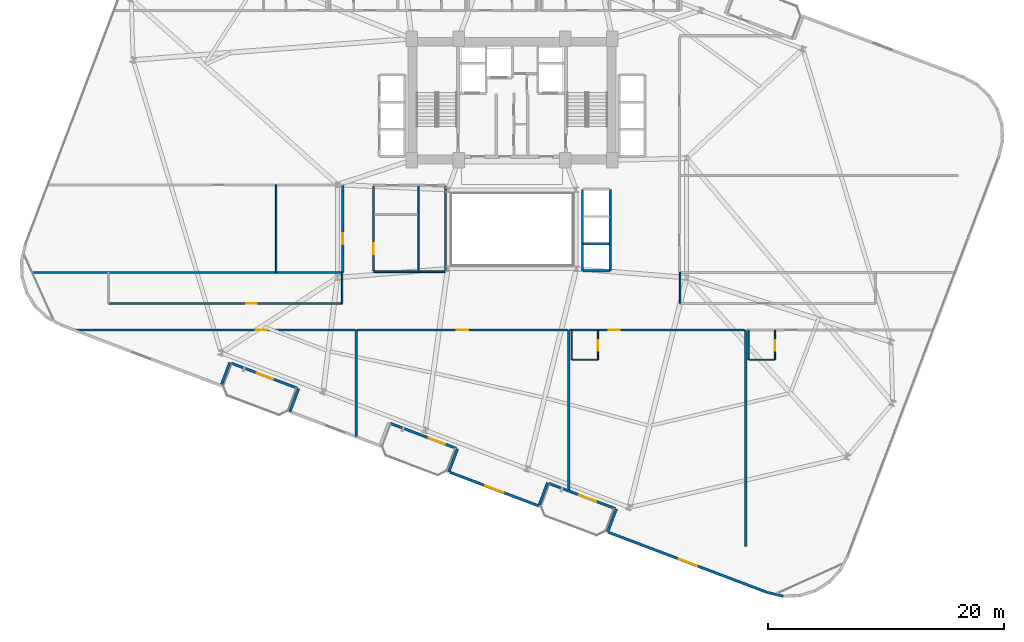
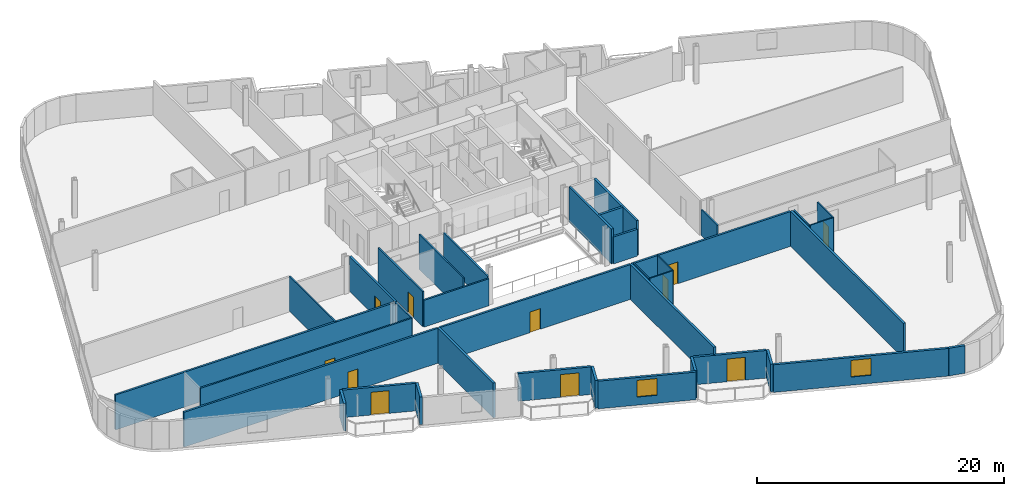
# One storey, part 18 of 25: 37 walls, 11 doors, 2 windows, 13 openings.
"""IFC4 building model written with IfcOpenShell, lengths in metres."""

from ifc_helpers import new_model, si_unit, direction, frame, frame_2d, origin, place, context, subcontext, project, spatial, rectangle, extrude, material, layer, layer_set, type_object, element, fill, save


model = new_model("IFC4")

# Units and contexts
model_context = context("Model", 3, precision=1e-05, world=origin(), true_north=direction((0.0, 1.0)))
body_context = subcontext(model_context, "Body", "Model", "MODEL_VIEW")
ifc_project = project(units=[si_unit("LENGTHUNIT", "METRE"), si_unit("AREAUNIT", "SQUARE_METRE"), si_unit("VOLUMEUNIT", "CUBIC_METRE"), si_unit("PLANEANGLEUNIT", "RADIAN"), si_unit("MASSUNIT", "GRAM", prefix="KILO")], contexts=[model_context])

# Site, building, storey
site_placement = place(None, origin())
site = spatial("IfcSite", under=ifc_project, at=site_placement, CompositionType="ELEMENT")
building_placement = place(site_placement, origin())
building = spatial("IfcBuilding", under=site, at=building_placement, Name="Varnelok Gate Tower", CompositionType="ELEMENT")
storey_placement = place(building_placement, frame((0.0, 0.0, 91.0)))
storey = spatial("IfcBuildingStorey", under=building, at=storey_placement, Name="L22", CompositionType="ELEMENT", Elevation=91.0)

# Wall, opening, door
ifc_material_1 = material(Name="Concrete C45/55", Category="concrete")
ifc_layer_1 = layer(ifc_material_1, 0.219970703125)
ifc_layer_set_1 = layer_set([ifc_layer_1], Name="Concrete C45/55")
wall_type_1 = type_object("IfcWallType", Name="EW-BALC-220", PredefinedType="SOLIDWALL", material=ifc_layer_set_1)
wall_1_placement = place(storey_placement, frame((21.00048828125, 9.42529296875, 0.0), z_axis=(0.0, 0.0, 1.0), x_axis=(-0.93521416643, 0.354082565101, 0.0)))
wall_1 = element("IfcWall", 1, at=wall_1_placement, inside=storey, type_object=wall_type_1, Name="L22 South Terrace Envelope Wall 1", PredefinedType="SOLIDWALL", context=body_context, shape_type="SweptSolid", body=[
    extrude(rectangle(XDim=6.0, YDim=0.219970703125, at=frame_2d((3.0, 0.0))), origin(), (0.0, 0.0, 1.0), 2.72998046875),
])
opening_1_placement = place(wall_1_placement, frame((2.176025390625, 0.0, 0.0)))
opening_1 = element("IfcOpeningElement", 2, at=opening_1_placement, cuts=wall_1, Name="Opening BD-1", PredefinedType="OPENING", context=body_context, shape_type="SweptSolid", body=[
    extrude(rectangle(XDim=1.5, YDim=2.25, at=frame_2d((0.75, 1.125))), frame((0.0, 0.119873046875, 0.0), z_axis=(0.0, -1.0, 0.0), x_axis=(1.0, 0.0, 0.0)), (0.0, 0.0, 1.0), 0.239990234375),
])
ifc_material_2 = material(Name="Anodized Aluminum Alloy 6063-T6", Category="aluminium")
door_type_1 = type_object("IfcDoorType", Name="DR-EXT-BALC1500", OperationType="NOTDEFINED", PredefinedType="DOOR", material=ifc_material_2)
door_1_placement = place(opening_1_placement, origin())
door_1 = element("IfcDoor", 3, at=door_1_placement, inside=storey, type_object=door_type_1, Name="L22 South Balcony Glazed Door 1", OperationType="SINGLE_SWING_RIGHT", OverallHeight=2.25, OverallWidth=1.5, PredefinedType="DOOR", context=body_context, shape_type="SweptSolid", body=[
    extrude(rectangle(XDim=1.5, YDim=2.25, at=frame_2d((0.75, 1.125))), frame((0.0, 0.02490234375, 0.0), z_axis=(0.0, -1.0, 0.0), x_axis=(1.0, 0.0, 0.0)), (0.0, 0.0, 1.0), 0.050048828125),
])
fill(opening_1, door_1)

wall_2_placement = place(storey_placement, frame((34.4677734375, 4.326904296875, 0.0), z_axis=(0.0, 0.0, 1.0), x_axis=(-0.9352192676, 0.354069091436, 0.0)))
wall_2 = element("IfcWall", 4, at=wall_2_placement, inside=storey, type_object=wall_type_1, Name="L22 South Terrace Envelope Wall 2", PredefinedType="SOLIDWALL", context=body_context, shape_type="SweptSolid", body=[
    extrude(rectangle(XDim=6.000244140625, YDim=0.219970703125, at=frame_2d((3.0, 0.0))), origin(), (0.0, 0.0, 1.0), 2.72998046875),
])
opening_2_placement = place(wall_2_placement, frame((0.991943359375, 0.0, 0.0)))
opening_2 = element("IfcOpeningElement", 5, at=opening_2_placement, cuts=wall_2, Name="Opening BD-1", PredefinedType="OPENING", context=body_context, shape_type="SweptSolid", body=[
    extrude(rectangle(XDim=1.5, YDim=2.25, at=frame_2d((0.75, 1.125))), frame((0.0, 0.119873046875, 0.0), z_axis=(0.0, -1.0, 0.0), x_axis=(1.0, 0.0, 0.0)), (0.0, 0.0, 1.0), 0.239990234375),
])
door_2_placement = place(opening_2_placement, origin())
door_2 = element("IfcDoor", 6, at=door_2_placement, inside=storey, type_object=door_type_1, Name="L22 South Balcony Glazed Door 2", OperationType="SINGLE_SWING_LEFT", OverallHeight=2.25, OverallWidth=1.5, PredefinedType="DOOR", context=body_context, shape_type="SweptSolid", body=[
    extrude(rectangle(XDim=1.5, YDim=2.25, at=frame_2d((0.75, 1.125))), frame((0.0, 0.02490234375, 0.0), z_axis=(0.0, -1.0, 0.0), x_axis=(1.0, 0.0, 0.0)), (0.0, 0.0, 1.0), 0.050048828125),
])
fill(opening_2, door_2)

wall_3_placement = place(storey_placement, frame((47.934814453125, -0.771484375, 0.0), z_axis=(0.0, 0.0, 1.0), x_axis=(-0.935227640088, 0.354046976001, 0.0)))
wall_3 = element("IfcWall", 7, at=wall_3_placement, inside=storey, type_object=wall_type_1, Name="L22 South Terrace Envelope Wall 3", PredefinedType="SOLIDWALL", context=body_context, shape_type="SweptSolid", body=[
    extrude(rectangle(XDim=6.0, YDim=0.219970703125, at=frame_2d((3.0, 0.0))), origin(), (0.0, 0.0, 1.0), 2.72998046875),
])
opening_3_placement = place(wall_3_placement, frame((1.73193359375, 0.0, 0.0)))
opening_3 = element("IfcOpeningElement", 8, at=opening_3_placement, cuts=wall_3, Name="Opening BD-1", PredefinedType="OPENING", context=body_context, shape_type="SweptSolid", body=[
    extrude(rectangle(XDim=1.5, YDim=2.25, at=frame_2d((0.75, 1.125))), frame((0.0, 0.119873046875, 0.0), z_axis=(0.0, -1.0, 0.0), x_axis=(1.0, 0.0, 0.0)), (0.0, 0.0, 1.0), 0.239990234375),
])
door_3_placement = place(opening_3_placement, origin())
door_3 = element("IfcDoor", 9, at=door_3_placement, inside=storey, type_object=door_type_1, Name="L22 South Balcony Glazed Door 3", OperationType="SINGLE_SWING_RIGHT", OverallHeight=2.25, OverallWidth=1.5, PredefinedType="DOOR", context=body_context, shape_type="SweptSolid", body=[
    extrude(rectangle(XDim=1.5, YDim=2.25, at=frame_2d((0.75, 1.125))), frame((0.0, 0.02490234375, 0.0), z_axis=(0.0, -1.0, 0.0), x_axis=(1.0, 0.0, 0.0)), (0.0, 0.0, 1.0), 0.050048828125),
])
fill(opening_3, door_3)

# Walls
wall_4_placement = place(storey_placement, frame((14.581298828125, 9.754638671875, 0.0), z_axis=(0.0, 0.0, 1.0), x_axis=(0.354061611705, 0.935222099352, 0.0)))
element("IfcWall", 10, at=wall_4_placement, inside=storey, type_object=wall_type_1, Name="L22 Perimeter Facade Closure Wall 8", PredefinedType="SOLIDWALL", context=body_context, shape_type="SweptSolid", body=[
    extrude(rectangle(XDim=1.974853515625, YDim=0.219970703125, at=frame_2d((0.9873046875, 0.0))), origin(), (0.0, 0.0, 1.0), 2.72998046875),
])
wall_5_placement = place(storey_placement, frame((21.1162109375, 9.392333984375, 0.0), z_axis=(0.0, 0.0, 1.0), x_axis=(-0.353988291547, -0.935249854022, 0.0)))
element("IfcWall", 11, at=wall_5_placement, inside=storey, type_object=wall_type_1, Name="L22 Perimeter Facade Closure Wall 9", PredefinedType="SOLIDWALL", context=body_context, shape_type="SweptSolid", body=[
    extrude(rectangle(XDim=2.10009765625, YDim=0.219970703125, at=frame_2d((1.050048828125, 0.0))), origin(), (0.0, 0.0, 1.0), 2.72998046875),
])
wall_6_placement = place(storey_placement, frame((34.58349609375, 4.293701171875, 0.0), z_axis=(0.0, 0.0, 1.0), x_axis=(-0.354128469405, -0.935196785258, 0.0)))
element("IfcWall", 12, at=wall_6_placement, inside=storey, type_object=wall_type_1, Name="L22 Perimeter Facade Closure Wall 12", PredefinedType="SOLIDWALL", context=body_context, shape_type="SweptSolid", body=[
    extrude(rectangle(XDim=2.099853515625, YDim=0.219970703125, at=frame_2d((1.0498046875, 0.0))), origin(), (0.0, 0.0, 1.0), 2.72998046875),
])

# Wall, opening, window
wall_7_placement = place(storey_placement, frame((33.956787109375, 2.28564453125, 0.0), z_axis=(0.0, 0.0, 1.0), x_axis=(0.935220736163, -0.354065212427, 0.0)))
wall_7 = element("IfcWall", 13, at=wall_7_placement, inside=storey, type_object=wall_type_1, Name="L22 Perimeter Facade Closure Wall 13", PredefinedType="SOLIDWALL", context=body_context, shape_type="SweptSolid", body=[
    extrude(rectangle(XDim=8.03515625, YDim=0.219970703125, at=frame_2d((4.017578125, 0.0))), origin(), (0.0, 0.0, 1.0), 2.72998046875),
])
opening_4_placement = place(wall_7_placement, frame((3.1923828125, 0.0, 0.800048828125)))
opening_4 = element("IfcOpeningElement", 14, at=opening_4_placement, cuts=wall_7, Name="Opening WN3", PredefinedType="OPENING", context=body_context, shape_type="SweptSolid", body=[
    extrude(rectangle(XDim=1.64990234375, YDim=1.64990234375, at=frame_2d((0.824951171875, 0.824951171875))), frame((0.0, 0.119873046875, 0.0), z_axis=(0.0, -1.0, 0.0), x_axis=(1.0, 0.0, 0.0)), (0.0, 0.0, 1.0), 0.239990234375),
])
ifc_material_3 = material(Name="Low-E Laminated Double Glazing IGU", Category="glass")
window_type = type_object("IfcWindowType", Name="WN-HTL-1650", PartitioningType="SINGLE_PANEL", PredefinedType="WINDOW", material=ifc_material_3)
window_1_placement = place(opening_4_placement, origin())
window_1 = element("IfcWindow", 15, at=window_1_placement, inside=storey, type_object=window_type, Name="L22 Perimeter Vision Window 13", OverallHeight=1.64990234375, OverallWidth=1.64990234375, PartitioningType="SINGLE_PANEL", PredefinedType="WINDOW", context=body_context, shape_type="SweptSolid", body=[
    extrude(rectangle(XDim=1.64990234375, YDim=1.64990234375, at=frame_2d((0.824951171875, 0.824951171875))), frame((0.0, 0.030029296875, 0.0), z_axis=(0.0, -1.0, 0.0), x_axis=(1.0, 0.0, 0.0)), (0.0, 0.0, 1.0), 0.06005859375),
])
fill(opening_4, window_1)

# Walls
wall_8_placement = place(storey_placement, frame((41.515625, -0.4423828125, 0.0), z_axis=(0.0, 0.0, 1.0), x_axis=(0.354061611705, 0.935222099352, 0.0)))
element("IfcWall", 16, at=wall_8_placement, inside=storey, type_object=wall_type_1, Name="L22 Perimeter Facade Closure Wall 14", PredefinedType="SOLIDWALL", context=body_context, shape_type="SweptSolid", body=[
    extrude(rectangle(XDim=1.974853515625, YDim=0.219970703125, at=frame_2d((0.9873046875, 0.0))), origin(), (0.0, 0.0, 1.0), 2.72998046875),
])
wall_9_placement = place(storey_placement, frame((48.050537109375, -0.8046875, 0.0), z_axis=(0.0, 0.0, 1.0), x_axis=(-0.353988291547, -0.935249854022, 0.0)))
element("IfcWall", 17, at=wall_9_placement, inside=storey, type_object=wall_type_1, Name="L22 Perimeter Facade Closure Wall 15", PredefinedType="SOLIDWALL", context=body_context, shape_type="SweptSolid", body=[
    extrude(rectangle(XDim=2.10009765625, YDim=0.219970703125, at=frame_2d((1.050048828125, 0.0))), origin(), (0.0, 0.0, 1.0), 2.72998046875),
])

# Wall, opening, window
wall_10_placement = place(storey_placement, frame((47.424072265625, -2.81298828125, 0.0), z_axis=(0.0, 0.0, 1.0), x_axis=(0.935225962032, -0.354051408614, 0.0)))
wall_10 = element("IfcWall", 18, at=wall_10_placement, inside=storey, type_object=wall_type_1, Name="L22 Perimeter Facade Closure Wall 16", PredefinedType="SOLIDWALL", context=body_context, shape_type="SweptSolid", body=[
    extrude(rectangle(XDim=14.346923828125, YDim=0.219970703125, at=frame_2d((7.17333984375, 0.0))), origin(), (0.0, 0.0, 1.0), 2.72998046875),
])
opening_5_placement = place(wall_10_placement, frame((6.348388671875, 0.0, 0.800048828125)))
opening_5 = element("IfcOpeningElement", 19, at=opening_5_placement, cuts=wall_10, Name="Opening WN3", PredefinedType="OPENING", context=body_context, shape_type="SweptSolid", body=[
    extrude(rectangle(XDim=1.64990234375, YDim=1.64990234375, at=frame_2d((0.824951171875, 0.824951171875))), frame((0.0, 0.119873046875, 0.0), z_axis=(0.0, -1.0, 0.0), x_axis=(1.0, 0.0, 0.0)), (0.0, 0.0, 1.0), 0.239990234375),
])
window_2_placement = place(opening_5_placement, origin())
window_2 = element("IfcWindow", 20, at=window_2_placement, inside=storey, type_object=window_type, Name="L22 Perimeter Vision Window 16", OverallHeight=1.64990234375, OverallWidth=1.64990234375, PartitioningType="SINGLE_PANEL", PredefinedType="WINDOW", context=body_context, shape_type="SweptSolid", body=[
    extrude(rectangle(XDim=1.64990234375, YDim=1.64990234375, at=frame_2d((0.824951171875, 0.824951171875))), frame((0.0, 0.030029296875, 0.0), z_axis=(0.0, -1.0, 0.0), x_axis=(1.0, 0.0, 0.0)), (0.0, 0.0, 1.0), 0.06005859375),
])
fill(opening_5, window_2)

# Wall
wall_11_placement = place(storey_placement, frame((60.8662109375, -7.8984375, 0.0), z_axis=(0.0, 0.0, 1.0), x_axis=(0.973405403345, -0.229089329169, 0.0)))
element("IfcWall", 21, at=wall_11_placement, inside=storey, type_object=wall_type_1, Name="L22 Perimeter Facade Closure Wall 17", PredefinedType="SOLIDWALL", context=body_context, shape_type="SweptSolid", body=[
    extrude(rectangle(XDim=1.36083984375, YDim=0.219970703125, at=frame_2d((0.680419921875, 0.0))), origin(), (0.0, 0.0, 1.0), 2.72998046875),
])

# Wall, opening, door
ifc_material_4 = material(Name="Gypsum Plasterboard Acoustic Partition", Category="gypsum")
ifc_layer_2 = layer(ifc_material_4, 0.179931640625)
ifc_layer_set_2 = layer_set([ifc_layer_2], Name="Gypsum Plasterboard Acoustic Partition")
wall_type_2 = type_object("IfcWallType", Name="PW-CORR-180", PredefinedType="PARTITIONING", material=ifc_layer_set_2)
wall_12_placement = place(storey_placement, frame((2.146240234375, 14.35009765625, 0.0), z_axis=(0.0, 0.0, 1.0), x_axis=(1.0, 0.0, 0.0)))
wall_12 = element("IfcWall", 22, at=wall_12_placement, inside=storey, type_object=wall_type_2, Name="Interior Partition", PredefinedType="PARTITIONING", context=body_context, shape_type="SweptSolid", body=[
    extrude(rectangle(XDim=23.773681640625, YDim=0.179931640625, at=frame_2d((11.88671875, 0.0))), origin(), (0.0, 0.0, 1.0), 3.449951171875),
])
opening_6_placement = place(wall_12_placement, frame((15.32861328125, 0.0, 0.0)))
opening_6 = element("IfcOpeningElement", 23, at=opening_6_placement, cuts=wall_12, Name="Opening D-I2", PredefinedType="OPENING", context=body_context, shape_type="SweptSolid", body=[
    extrude(rectangle(XDim=0.949951171875, YDim=2.050048828125, at=frame_2d((0.47509765625, 1.02490234375))), frame((0.0, 0.099853515625, 0.0), z_axis=(0.0, -1.0, 0.0), x_axis=(1.0, 0.0, 0.0)), (0.0, 0.0, 1.0), 0.199951171875),
])
ifc_material_5 = material(Name="Engineered Hardwood Timber", Category="wood")
door_type_2 = type_object("IfcDoorType", Name="DR-INT-950", OperationType="NOTDEFINED", PredefinedType="DOOR", material=ifc_material_5)
door_4_placement = place(opening_6_placement, origin())
door_4 = element("IfcDoor", 24, at=door_4_placement, inside=storey, type_object=door_type_2, Name="L22 Hotel Business Center Door", OperationType="SINGLE_SWING_LEFT", OverallHeight=2.050048828125, OverallWidth=0.949951171875, PredefinedType="DOOR", context=body_context, shape_type="SweptSolid", body=[
    extrude(rectangle(XDim=0.949951171875, YDim=2.050048828125, at=frame_2d((0.47509765625, 1.02490234375))), frame((0.0, 0.02490234375, 0.0), z_axis=(0.0, -1.0, 0.0), x_axis=(1.0, 0.0, 0.0)), (0.0, 0.0, 1.0), 0.050048828125),
])
fill(opening_6, door_4)

wall_13_placement = place(storey_placement, frame((26.080078125, 14.35009765625, 0.0), z_axis=(0.0, 0.0, 1.0), x_axis=(1.0, 0.0, 0.0)))
wall_13 = element("IfcWall", 25, at=wall_13_placement, inside=storey, type_object=wall_type_2, Name="Interior Partition", PredefinedType="PARTITIONING", context=body_context, shape_type="SweptSolid", body=[
    extrude(rectangle(XDim=17.83984375, YDim=0.179931640625, at=frame_2d((8.919921875, 0.0))), origin(), (0.0, 0.0, 1.0), 3.449951171875),
])
opening_7_placement = place(wall_13_placement, frame((8.445068359375, 0.0, 0.0)))
opening_7 = element("IfcOpeningElement", 26, at=opening_7_placement, cuts=wall_13, Name="Opening D-I2", PredefinedType="OPENING", context=body_context, shape_type="SweptSolid", body=[
    extrude(rectangle(XDim=0.949951171875, YDim=2.050048828125, at=frame_2d((0.47509765625, 1.02490234375))), frame((0.0, 0.099853515625, 0.0), z_axis=(0.0, -1.0, 0.0), x_axis=(1.0, 0.0, 0.0)), (0.0, 0.0, 1.0), 0.199951171875),
])
door_5_placement = place(opening_7_placement, origin())
door_5 = element("IfcDoor", 27, at=door_5_placement, inside=storey, type_object=door_type_2, Name="L22 Executive Business Office 1 Door", OperationType="SINGLE_SWING_LEFT", OverallHeight=2.050048828125, OverallWidth=0.949951171875, PredefinedType="DOOR", context=body_context, shape_type="SweptSolid", body=[
    extrude(rectangle(XDim=0.949951171875, YDim=2.050048828125, at=frame_2d((0.47509765625, 1.02490234375))), frame((0.0, 0.02490234375, 0.0), z_axis=(0.0, -1.0, 0.0), x_axis=(1.0, 0.0, 0.0)), (0.0, 0.0, 1.0), 0.050048828125),
])
fill(opening_7, door_5)

wall_14_placement = place(storey_placement, frame((44.080078125, 14.35009765625, 0.0), z_axis=(0.0, 0.0, 1.0), x_axis=(1.0, 0.0, 0.0)))
wall_14 = element("IfcWall", 28, at=wall_14_placement, inside=storey, type_object=wall_type_2, Name="Interior Partition", PredefinedType="PARTITIONING", context=body_context, shape_type="SweptSolid", body=[
    extrude(rectangle(XDim=14.83984375, YDim=0.179931640625, at=frame_2d((7.419921875, 0.0))), origin(), (0.0, 0.0, 1.0), 3.449951171875),
])
opening_8_placement = place(wall_14_placement, frame((3.323486328125, 0.0, 0.0)))
opening_8 = element("IfcOpeningElement", 29, at=opening_8_placement, cuts=wall_14, Name="Opening D-HT", PredefinedType="OPENING", context=body_context, shape_type="SweptSolid", body=[
    extrude(rectangle(XDim=0.949951171875, YDim=2.14990234375, at=frame_2d((0.47509765625, 1.074951171875))), frame((0.0, 0.099853515625, 0.0), z_axis=(0.0, -1.0, 0.0), x_axis=(1.0, 0.0, 0.0)), (0.0, 0.0, 1.0), 0.199951171875),
])
door_type_3 = type_object("IfcDoorType", Name="DR-HTL-950", OperationType="NOTDEFINED", PredefinedType="DOOR", material=ifc_material_5)
door_6_placement = place(opening_8_placement, origin())
door_6 = element("IfcDoor", 30, at=door_6_placement, inside=storey, type_object=door_type_3, Name="L22 Guest Room 03 Entrance Door", OperationType="SINGLE_SWING_RIGHT", OverallHeight=2.14990234375, OverallWidth=0.949951171875, PredefinedType="DOOR", context=body_context, shape_type="SweptSolid", body=[
    extrude(rectangle(XDim=0.949951171875, YDim=2.14990234375, at=frame_2d((0.47509765625, 1.074951171875))), frame((0.0, 0.02490234375, 0.0), z_axis=(0.0, -1.0, 0.0), x_axis=(1.0, 0.0, 0.0)), (0.0, 0.0, 1.0), 0.050048828125),
])
fill(opening_8, door_6)

wall_15_placement = place(storey_placement, frame((24.85009765625, 19.239990234375, 0.0), z_axis=(0.0, 0.0, 1.0), x_axis=(0.0, 1.0, 0.0)))
wall_15 = element("IfcWall", 31, at=wall_15_placement, inside=storey, type_object=wall_type_2, Name="Interior Partition", PredefinedType="PARTITIONING", context=body_context, shape_type="SweptSolid", body=[
    extrude(rectangle(XDim=7.419921875, YDim=0.179931640625, at=frame_2d((3.7099609375, 0.0))), origin(), (0.0, 0.0, 1.0), 3.449951171875),
])
opening_9_placement = place(wall_15_placement, frame((2.39990234375, 0.0, 0.0)))
opening_9 = element("IfcOpeningElement", 32, at=opening_9_placement, cuts=wall_15, Name="Opening D-I3", PredefinedType="OPENING", context=body_context, shape_type="SweptSolid", body=[
    extrude(rectangle(XDim=0.919921875, YDim=2.050048828125, at=frame_2d((0.4599609375, 1.02490234375))), frame((0.0, 0.099853515625, 0.0), z_axis=(0.0, -1.0, 0.0), x_axis=(1.0, 0.0, 0.0)), (0.0, 0.0, 1.0), 0.199951171875),
])
door_type_4 = type_object("IfcDoorType", Name="DR-INT-920", OperationType="NOTDEFINED", PredefinedType="DOOR", material=ifc_material_5)
door_7_placement = place(opening_9_placement, origin())
door_7 = element("IfcDoor", 33, at=door_7_placement, inside=storey, type_object=door_type_4, Name="L22 West Playroom Door", OperationType="SINGLE_SWING_LEFT", OverallHeight=2.050048828125, OverallWidth=0.919921875, PredefinedType="DOOR", context=body_context, shape_type="SweptSolid", body=[
    extrude(rectangle(XDim=0.919921875, YDim=2.050048828125, at=frame_2d((0.4599609375, 1.02490234375))), frame((0.0, 0.02490234375, 0.0), z_axis=(0.0, -1.0, 0.0), x_axis=(1.0, 0.0, 0.0)), (0.0, 0.0, 1.0), 0.050048828125),
])
fill(opening_9, door_7)

# Walls
wall_16_placement = place(storey_placement, frame((-1.432373046875, 19.239990234375, 0.0), z_axis=(0.0, 0.0, 1.0), x_axis=(1.0, 0.0, 0.0)))
element("IfcWall", 34, at=wall_16_placement, inside=storey, type_object=wall_type_2, Name="Interior Partition", PredefinedType="PARTITIONING", context=body_context, shape_type="SweptSolid", body=[
    extrude(rectangle(XDim=26.282470703125, YDim=0.179931640625, at=frame_2d((13.14111328125, 0.0))), origin(), (0.0, 0.0, 1.0), 3.449951171875),
])
ifc_layer_3 = layer(ifc_material_4, 0.114990234375)
ifc_layer_set_3 = layer_set([ifc_layer_3], Name="Gypsum Plasterboard Acoustic Partition")
wall_type_3 = type_object("IfcWallType", Name="PW-ENS-125", PredefinedType="PARTITIONING", material=ifc_layer_set_3)
wall_17_placement = place(storey_placement, frame((44.300048828125, 11.830078125, 0.0), z_axis=(0.0, 0.0, 1.0), x_axis=(1.0, 0.0, 0.0)))
element("IfcWall", 35, at=wall_17_placement, inside=storey, type_object=wall_type_3, Name="Interior Partition", PredefinedType="PARTITIONING", context=body_context, shape_type="SweptSolid", body=[
    extrude(rectangle(XDim=2.14990234375, YDim=0.114990234375, at=frame_2d((1.074951171875, 0.0))), origin(), (0.0, 0.0, 1.0), 3.449951171875),
])

# Wall, opening, door
wall_18_placement = place(storey_placement, frame((46.489990234375, 11.830078125, 0.0), z_axis=(0.0, 0.0, 1.0), x_axis=(0.0, 1.0, 0.0)))
wall_18 = element("IfcWall", 36, at=wall_18_placement, inside=storey, type_object=wall_type_3, Name="Interior Partition", PredefinedType="PARTITIONING", context=body_context, shape_type="SweptSolid", body=[
    extrude(rectangle(XDim=2.52001953125, YDim=0.114990234375, at=frame_2d((1.260009765625, 0.0))), origin(), (0.0, 0.0, 1.0), 3.449951171875),
])
opening_10_placement = place(wall_18_placement, frame((0.760009765625, 0.0, 0.0)))
opening_10 = element("IfcOpeningElement", 37, at=opening_10_placement, cuts=wall_18, Name="Opening D-WC", PredefinedType="OPENING", context=body_context, shape_type="SweptSolid", body=[
    extrude(rectangle(XDim=0.89990234375, YDim=2.050048828125, at=frame_2d((0.449951171875, 1.02490234375))), frame((0.0, 0.0673828125, 0.0), z_axis=(0.0, -1.0, 0.0), x_axis=(1.0, 0.0, 0.0)), (0.0, 0.0, 1.0), 0.135009765625),
])
door_type_5 = type_object("IfcDoorType", Name="DR-BATH-900", OperationType="NOTDEFINED", PredefinedType="DOOR", material=ifc_material_5)
door_8_placement = place(opening_10_placement, origin())
door_8 = element("IfcDoor", 38, at=door_8_placement, inside=storey, type_object=door_type_5, Name="L22 Guest En-Suite 03 Door", OperationType="SINGLE_SWING_LEFT", OverallHeight=2.050048828125, OverallWidth=0.89990234375, PredefinedType="DOOR", context=body_context, shape_type="SweptSolid", body=[
    extrude(rectangle(XDim=0.89990234375, YDim=2.050048828125, at=frame_2d((0.449951171875, 1.02490234375))), frame((0.0, 0.02490234375, 0.0), z_axis=(0.0, -1.0, 0.0), x_axis=(1.0, 0.0, 0.0)), (0.0, 0.0, 1.0), 0.050048828125),
])
fill(opening_10, door_8)

# Walls
wall_19_placement = place(storey_placement, frame((44.260009765625, 11.830078125, 0.0), z_axis=(0.0, 0.0, 1.0), x_axis=(0.0, 1.0, 0.0)))
element("IfcWall", 39, at=wall_19_placement, inside=storey, type_object=wall_type_3, Name="Interior Partition", PredefinedType="PARTITIONING", context=body_context, shape_type="SweptSolid", body=[
    extrude(rectangle(XDim=2.52001953125, YDim=0.114990234375, at=frame_2d((1.260009765625, 0.0))), origin(), (0.0, 0.0, 1.0), 3.449951171875),
])
wall_20_placement = place(storey_placement, frame((59.300048828125, 11.830078125, 0.0), z_axis=(0.0, 0.0, 1.0), x_axis=(1.0, 0.0, 0.0)))
element("IfcWall", 40, at=wall_20_placement, inside=storey, type_object=wall_type_3, Name="Interior Partition", PredefinedType="PARTITIONING", context=body_context, shape_type="SweptSolid", body=[
    extrude(rectangle(XDim=2.14990234375, YDim=0.114990234375, at=frame_2d((1.074951171875, 0.0))), origin(), (0.0, 0.0, 1.0), 3.449951171875),
])

# Wall, opening, door
wall_21_placement = place(storey_placement, frame((61.489990234375, 11.830078125, 0.0), z_axis=(0.0, 0.0, 1.0), x_axis=(0.0, 1.0, 0.0)))
wall_21 = element("IfcWall", 41, at=wall_21_placement, inside=storey, type_object=wall_type_3, Name="Interior Partition", PredefinedType="PARTITIONING", context=body_context, shape_type="SweptSolid", body=[
    extrude(rectangle(XDim=2.52001953125, YDim=0.114990234375, at=frame_2d((1.260009765625, 0.0))), origin(), (0.0, 0.0, 1.0), 3.449951171875),
])
opening_11_placement = place(wall_21_placement, frame((0.760009765625, 0.0, 0.0)))
opening_11 = element("IfcOpeningElement", 42, at=opening_11_placement, cuts=wall_21, Name="Opening D-WC", PredefinedType="OPENING", context=body_context, shape_type="SweptSolid", body=[
    extrude(rectangle(XDim=0.89990234375, YDim=2.050048828125, at=frame_2d((0.449951171875, 1.02490234375))), frame((0.0, 0.0673828125, 0.0), z_axis=(0.0, -1.0, 0.0), x_axis=(1.0, 0.0, 0.0)), (0.0, 0.0, 1.0), 0.135009765625),
])
door_9_placement = place(opening_11_placement, origin())
door_9 = element("IfcDoor", 43, at=door_9_placement, inside=storey, type_object=door_type_5, Name="L22 Guest En-Suite 04 Door", OperationType="SINGLE_SWING_LEFT", OverallHeight=2.050048828125, OverallWidth=0.89990234375, PredefinedType="DOOR", context=body_context, shape_type="SweptSolid", body=[
    extrude(rectangle(XDim=0.89990234375, YDim=2.050048828125, at=frame_2d((0.449951171875, 1.02490234375))), frame((0.0, 0.02490234375, 0.0), z_axis=(0.0, -1.0, 0.0), x_axis=(1.0, 0.0, 0.0)), (0.0, 0.0, 1.0), 0.050048828125),
])
fill(opening_11, door_9)

# Walls
wall_22_placement = place(storey_placement, frame((59.260009765625, 11.830078125, 0.0), z_axis=(0.0, 0.0, 1.0), x_axis=(0.0, 1.0, 0.0)))
element("IfcWall", 44, at=wall_22_placement, inside=storey, type_object=wall_type_3, Name="Interior Partition", PredefinedType="PARTITIONING", context=body_context, shape_type="SweptSolid", body=[
    extrude(rectangle(XDim=2.52001953125, YDim=0.114990234375, at=frame_2d((1.260009765625, 0.0))), origin(), (0.0, 0.0, 1.0), 3.449951171875),
])
ifc_layer_4 = layer(ifc_material_4, 0.125)
ifc_layer_set_4 = layer_set([ifc_layer_4], Name="Gypsum Plasterboard Acoustic Partition")
wall_type_4 = type_object("IfcWallType", Name="PW-PART-125", PredefinedType="PARTITIONING", material=ifc_layer_set_4)
wall_23_placement = place(storey_placement, frame((24.800048828125, 16.610107421875, 0.0), z_axis=(0.0, 0.0, 1.0), x_axis=(0.0, 1.0, 0.0)))
element("IfcWall", 45, at=wall_23_placement, inside=storey, type_object=wall_type_4, Name="Interior Partition", PredefinedType="PARTITIONING", context=body_context, shape_type="SweptSolid", body=[
    extrude(rectangle(XDim=2.6298828125, YDim=0.125, at=frame_2d((1.31494140625, 0.0))), origin(), (0.0, 0.0, 1.0), 3.449951171875),
])
wall_24_placement = place(storey_placement, frame((53.449951171875, 16.610107421875, 0.0), z_axis=(0.0, 0.0, 1.0), x_axis=(0.0, 1.0, 0.0)))
element("IfcWall", 46, at=wall_24_placement, inside=storey, type_object=wall_type_4, Name="Interior Partition", PredefinedType="PARTITIONING", context=body_context, shape_type="SweptSolid", body=[
    extrude(rectangle(XDim=2.6298828125, YDim=0.125, at=frame_2d((1.31494140625, 0.0))), origin(), (0.0, 0.0, 1.0), 2.580078125),
])
wall_25_placement = place(storey_placement, frame((19.199951171875, 19.239990234375, 0.0), z_axis=(0.0, 0.0, 1.0), x_axis=(0.0, 1.0, 0.0)))
element("IfcWall", 47, at=wall_25_placement, inside=storey, type_object=wall_type_4, Name="Interior Partition", PredefinedType="PARTITIONING", context=body_context, shape_type="SweptSolid", body=[
    extrude(rectangle(XDim=7.419921875, YDim=0.125, at=frame_2d((3.7099609375, 0.0))), origin(), (0.0, 0.0, 1.0), 3.449951171875),
])
wall_26_placement = place(storey_placement, frame((31.280029296875, 19.3798828125, 0.0), z_axis=(0.0, 0.0, 1.0), x_axis=(0.0, 1.0, 0.0)))
element("IfcWall", 48, at=wall_26_placement, inside=storey, type_object=wall_type_4, Name="Interior Partition", PredefinedType="PARTITIONING", context=body_context, shape_type="SweptSolid", body=[
    extrude(rectangle(XDim=7.16015625, YDim=0.125, at=frame_2d((3.580078125, 0.0))), origin(), (0.0, 0.0, 1.0), 3.449951171875),
])

# Wall, opening, door
ifc_layer_5 = layer(ifc_material_4, 0.14990234375)
ifc_layer_set_5 = layer_set([ifc_layer_5], Name="Gypsum Plasterboard Acoustic Partition")
wall_type_5 = type_object("IfcWallType", Name="PW-PART-150", PredefinedType="PARTITIONING", material=ifc_layer_set_5)
wall_27_placement = place(storey_placement, frame((5.0, 16.610107421875, 0.0), z_axis=(0.0, 0.0, 1.0), x_axis=(1.0, 0.0, 0.0)))
wall_27 = element("IfcWall", 49, at=wall_27_placement, inside=storey, type_object=wall_type_5, Name="Interior Partition", PredefinedType="PARTITIONING", context=body_context, shape_type="SweptSolid", body=[
    extrude(rectangle(XDim=19.800048828125, YDim=0.14990234375, at=frame_2d((9.89990234375, 0.0))), origin(), (0.0, 0.0, 1.0), 3.449951171875),
])
opening_12_placement = place(wall_27_placement, frame((11.659912109375, 0.0, 0.0)))
opening_12 = element("IfcOpeningElement", 50, at=opening_12_placement, cuts=wall_27, Name="Opening D-I3", PredefinedType="OPENING", context=body_context, shape_type="SweptSolid", body=[
    extrude(rectangle(XDim=0.919921875, YDim=2.050048828125, at=frame_2d((0.4599609375, 1.02490234375))), frame((0.0, 0.0849609375, 0.0), z_axis=(0.0, -1.0, 0.0), x_axis=(1.0, 0.0, 0.0)), (0.0, 0.0, 1.0), 0.169921875),
])
door_10_placement = place(opening_12_placement, origin())
door_10 = element("IfcDoor", 51, at=door_10_placement, inside=storey, type_object=door_type_4, Name="L22 Atrium Room 1 Door", OperationType="SINGLE_SWING_LEFT", OverallHeight=2.050048828125, OverallWidth=0.919921875, PredefinedType="DOOR", context=body_context, shape_type="SweptSolid", body=[
    extrude(rectangle(XDim=0.919921875, YDim=2.050048828125, at=frame_2d((0.4599609375, 1.02490234375))), frame((0.0, 0.02490234375, 0.0), z_axis=(0.0, -1.0, 0.0), x_axis=(1.0, 0.0, 0.0)), (0.0, 0.0, 1.0), 0.050048828125),
])
fill(opening_12, door_10)

# Wall
wall_28_placement = place(storey_placement, frame((27.4599609375, 19.300048828125, 0.0), z_axis=(0.0, 0.0, 1.0), x_axis=(1.0, 0.0, 0.0)))
element("IfcWall", 52, at=wall_28_placement, inside=storey, type_object=wall_type_5, Name="Interior Partition", PredefinedType="PARTITIONING", context=body_context, shape_type="SweptSolid", body=[
    extrude(rectangle(XDim=6.10009765625, YDim=0.14990234375, at=frame_2d((3.050048828125, 0.0))), origin(), (0.0, 0.0, 1.0), 2.662109375),
])

# Wall, opening, door
wall_29_placement = place(storey_placement, frame((27.4599609375, 19.3798828125, 0.0), z_axis=(0.0, 0.0, 1.0), x_axis=(0.0, 1.0, 0.0)))
wall_29 = element("IfcWall", 53, at=wall_29_placement, inside=storey, type_object=wall_type_5, Name="Interior Partition", PredefinedType="PARTITIONING", context=body_context, shape_type="SweptSolid", body=[
    extrude(rectangle(XDim=7.16015625, YDim=0.14990234375, at=frame_2d((3.580078125, 0.0))), origin(), (0.0, 0.0, 1.0), 3.449951171875),
])
opening_13_placement = place(wall_29_placement, frame((1.39990234375, 0.0, 0.0)))
opening_13 = element("IfcOpeningElement", 54, at=opening_13_placement, cuts=wall_29, Name="Opening D-I2", PredefinedType="OPENING", context=body_context, shape_type="SweptSolid", body=[
    extrude(rectangle(XDim=0.949951171875, YDim=2.050048828125, at=frame_2d((0.47509765625, 1.02490234375))), frame((0.0, 0.0849609375, 0.0), z_axis=(0.0, -1.0, 0.0), x_axis=(1.0, 0.0, 0.0)), (0.0, 0.0, 1.0), 0.169921875),
])
door_11_placement = place(opening_13_placement, origin())
door_11 = element("IfcDoor", 55, at=door_11_placement, inside=storey, type_object=door_type_2, Name="L22 Children Playroom Door", OperationType="SINGLE_SWING_LEFT", OverallHeight=2.050048828125, OverallWidth=0.949951171875, PredefinedType="DOOR", context=body_context, shape_type="SweptSolid", body=[
    extrude(rectangle(XDim=0.949951171875, YDim=2.050048828125, at=frame_2d((0.47509765625, 1.02490234375))), frame((0.0, 0.02490234375, 0.0), z_axis=(0.0, -1.0, 0.0), x_axis=(1.0, 0.0, 0.0)), (0.0, 0.0, 1.0), 0.050048828125),
])
fill(opening_13, door_11)

# Walls
wall_30_placement = place(storey_placement, frame((33.56005859375, 19.3798828125, 0.0), z_axis=(0.0, 0.0, 1.0), x_axis=(0.0, 1.0, 0.0)))
element("IfcWall", 56, at=wall_30_placement, inside=storey, type_object=wall_type_5, Name="Interior Partition", PredefinedType="PARTITIONING", context=body_context, shape_type="SweptSolid", body=[
    extrude(rectangle(XDim=7.16015625, YDim=0.14990234375, at=frame_2d((3.580078125, 0.0))), origin(), (0.0, 0.0, 1.0), 2.823974609375),
])
ifc_layer_6 = layer(ifc_material_4, 0.205078125)
ifc_layer_set_6 = layer_set([ifc_layer_6], Name="Gypsum Plasterboard Acoustic Partition")
wall_type_6 = type_object("IfcWallType", Name="PW-PARTY-200", PredefinedType="PARTITIONING", material=ifc_layer_set_6)
wall_31_placement = place(storey_placement, frame((26.0, 5.3193359375, 0.0), z_axis=(0.0, 0.0, 1.0), x_axis=(0.0, 1.0, 0.0)))
element("IfcWall", 57, at=wall_31_placement, inside=storey, type_object=wall_type_6, Name="L22 South Party Wall 1", PredefinedType="PARTITIONING", context=body_context, shape_type="SweptSolid", body=[
    extrude(rectangle(XDim=9.03076171875, YDim=0.205078125, at=frame_2d((4.515380859375, 0.0))), origin(), (0.0, 0.0, 1.0), 3.449951171875),
])
wall_32_placement = place(storey_placement, frame((44.0, 0.750244140625, 0.0), z_axis=(0.0, 0.0, 1.0), x_axis=(0.0, 1.0, 0.0)))
element("IfcWall", 58, at=wall_32_placement, inside=storey, type_object=wall_type_6, Name="L22 South Party Wall 2", PredefinedType="PARTITIONING", context=body_context, shape_type="SweptSolid", body=[
    extrude(rectangle(XDim=13.599853515625, YDim=0.205078125, at=frame_2d((6.7998046875, 0.0))), origin(), (0.0, 0.0, 1.0), 3.449951171875),
])
wall_33_placement = place(storey_placement, frame((59.0, -4.0, 0.0), z_axis=(0.0, 0.0, 1.0), x_axis=(0.0, 1.0, 0.0)))
element("IfcWall", 59, at=wall_33_placement, inside=storey, type_object=wall_type_6, Name="L22 South Party Wall 3", PredefinedType="PARTITIONING", context=body_context, shape_type="SweptSolid", body=[
    extrude(rectangle(XDim=18.35009765625, YDim=0.205078125, at=frame_2d((9.175048828125, 0.0))), origin(), (0.0, 0.0, 1.0), 3.449951171875),
])
ifc_material_6 = material(Name="Concrete C35/45", Category="concrete")
ifc_layer_7 = layer(ifc_material_6, 0.199951171875)
ifc_layer_set_7 = layer_set([ifc_layer_7], Name="Concrete C35/45")
wall_type_7 = type_object("IfcWallType", Name="PW-SHAFT-200", PredefinedType="PARTITIONING", material=ifc_layer_set_7)
wall_34_placement = place(storey_placement, frame((45.239990234375, 21.675048828125, 0.0), z_axis=(0.0, 0.0, 1.0), x_axis=(1.0, 0.0, 0.0)))
element("IfcWall", 60, at=wall_34_placement, inside=storey, type_object=wall_type_7, Name="L22 PH1 Divider", PredefinedType="PARTITIONING", context=body_context, shape_type="SweptSolid", body=[
    extrude(rectangle(XDim=2.219970703125, YDim=0.199951171875, at=frame_2d((1.10986328125, 0.0))), origin(), (0.0, 0.0, 1.0), 3.449951171875),
])
wall_35_placement = place(storey_placement, frame((45.239990234375, 19.3798828125, 0.0), z_axis=(0.0, 0.0, 1.0), x_axis=(1.0, 0.0, 0.0)))
element("IfcWall", 61, at=wall_35_placement, inside=storey, type_object=wall_type_7, Name="L22 PH Bank South Wall", PredefinedType="PARTITIONING", context=body_context, shape_type="SweptSolid", body=[
    extrude(rectangle(XDim=2.219970703125, YDim=0.199951171875, at=frame_2d((1.10986328125, 0.0))), origin(), (0.0, 0.0, 1.0), 2.662109375),
])
for number, where, z_axis, x_axis, name in (
    (62, (45.179931640625, 19.3798828125, 0.0), (0.0, 0.0, 1.0), (0.0, 1.0, 0.0), "L22 PH Bank Atrium Wall"),
    (63, (47.52001953125, 19.3798828125, 0.0), (0.0, 0.0, 1.0), (0.0, 1.0, 0.0), "L22 PH Bank Front Wall"),
):
    element("IfcWall", number, at=place(storey_placement, frame(where, z_axis=z_axis, x_axis=x_axis)), inside=storey, type_object=wall_type_7, Name=name, PredefinedType="PARTITIONING", context=body_context, shape_type="SweptSolid", body=[
        extrude(rectangle(XDim=6.900146484375, YDim=0.199951171875, at=frame_2d((3.4501953125, 0.0))), origin(), (0.0, 0.0, 1.0), 3.449951171875),
    ])

save(model, "model.ifc")
